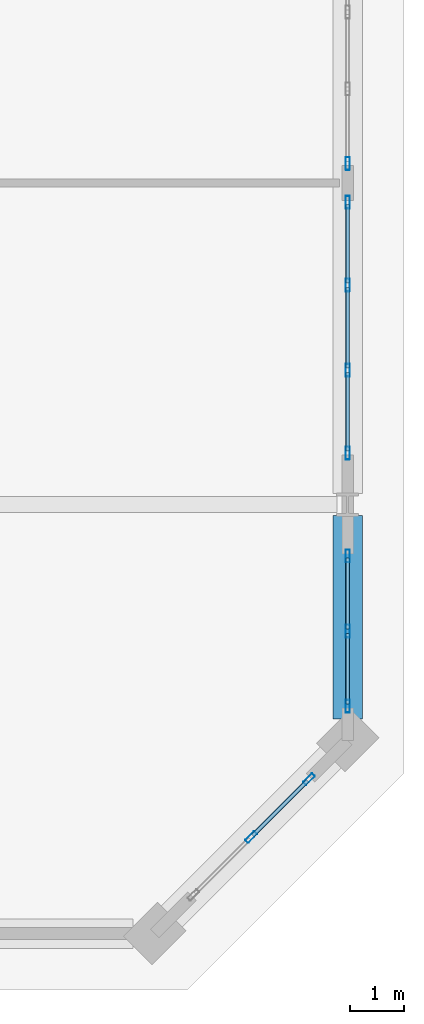
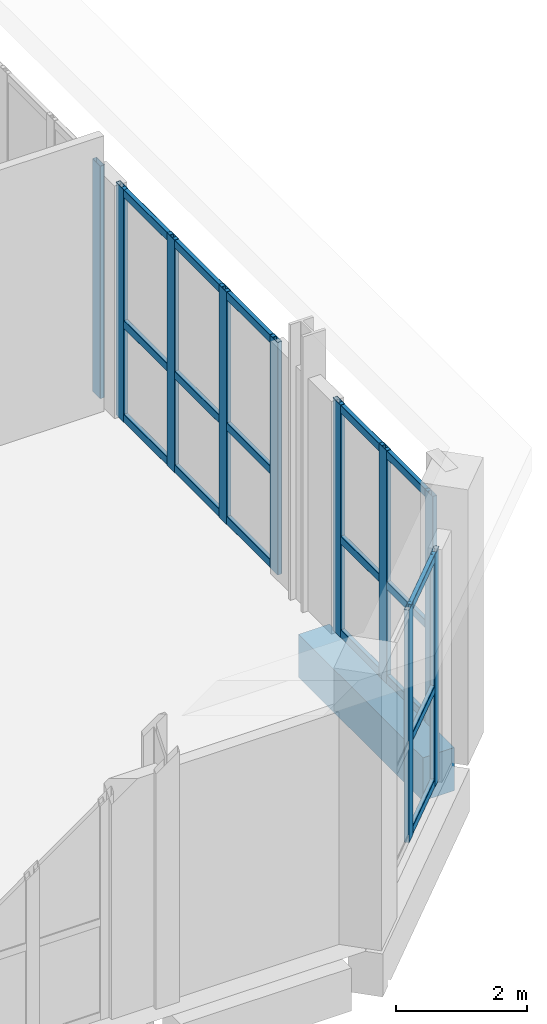
# One storey, part 14 of 26: 28 members, 1 beam, 4 elements without a shape of their own.
"""IFC4 building model written with IfcOpenShell, lengths in metres."""

from ifc_helpers import new_model, si_unit, direction, frame, origin, origin_2d, place, context, subcontext, project, spatial, rectangle, hollow_rectangle, extrude, material, layer, layer_set, material_profile, profile_set, type_object, element, aggregate, save


model = new_model("IFC4")

# Units and contexts
model_context = context("Model", 3, precision=1e-05, world=origin(), true_north=direction((0.0, 1.0)))
body_context = subcontext(model_context, "Body", "Model", "MODEL_VIEW")
ifc_project = project(units=[si_unit("LENGTHUNIT", "METRE"), si_unit("AREAUNIT", "SQUARE_METRE"), si_unit("VOLUMEUNIT", "CUBIC_METRE"), si_unit("PLANEANGLEUNIT", "RADIAN"), si_unit("MASSUNIT", "GRAM", prefix="KILO")], contexts=[model_context])

# Site, building, storey
site_placement = place(None, origin())
site = spatial("IfcSite", under=ifc_project, at=site_placement, CompositionType="ELEMENT")
building_placement = place(site_placement, origin())
building = spatial("IfcBuilding", under=site, at=building_placement, Name="Kaelvorn Grand Hotel", CompositionType="ELEMENT")
storey_placement = place(building_placement, frame((0.0, 0.0, 300.199951171875)))
storey = spatial("IfcBuildingStorey", under=building, at=storey_placement, Name="L73", CompositionType="ELEMENT", Elevation=300.199951171875)

# Beam
ifc_material_1 = material(Name="Concrete C50/60", Category="concrete")
ifc_material_profile_1 = material_profile(ifc_material_1, rectangle(XDim=0.550048828125, YDim=0.800048828125, at=origin_2d()), Name="RC SPANDREL 550x800")
ifc_profile_set_1 = profile_set([ifc_material_profile_1], Name="Concrete C50/60")
beam_type = type_object("IfcBeamType", Name="BM-SP-550x800-C50", PredefinedType="SPANDREL", material=ifc_profile_set_1)
beam_placement = place(storey_placement, frame((75.0, 11.0048828125, -0.780029296875), z_axis=(0.0, 1.0, 0.0), x_axis=(-1.0, 0.0, 0.0)))
element("IfcBeam", 1, at=beam_placement, inside=storey, type_object=beam_type, Name="L73 East Perimeter Spandrel 01", PredefinedType="SPANDREL", context=body_context, shape_type="SweptSolid", body=[
    extrude(rectangle(XDim=0.550048828125, YDim=0.800048828125, at=origin_2d()), origin(), (0.0, 0.0, 1.0), 3.7900390625),
])

# Curtain wall, members
ifc_material_2 = material(Name="Anodised Aluminium", Category="aluminium")
ifc_layer = layer(ifc_material_2, 0.239990234375)
ifc_layer_set = layer_set([ifc_layer], Name="Anodised Aluminium")
curtain_wall_type = type_object("IfcCurtainWallType", Name="CW-SYS5", PredefinedType="NOTDEFINED", material=ifc_layer_set)
curtain_wall_1_placement = place(storey_placement, origin())
curtain_wall_1 = element("IfcCurtainWall", 2, at=curtain_wall_1_placement, inside=storey, type_object=curtain_wall_type, Name="L73 Unitised Curtain Wall CW5 (CW-L73-SE)", PredefinedType="NOTDEFINED")
ifc_material_profile_2 = material_profile(ifc_material_2, hollow_rectangle(XDim=0.080078125, YDim=0.239990234375, WallThickness=0.0048828125, InnerFilletRadius=0.0048828125, OuterFilletRadius=0.010009765625, at=origin_2d()), Name="ALU MULL 80x240")
ifc_profile_set_2 = profile_set([ifc_material_profile_2], Name="Anodised Aluminium")
member_type_1 = type_object("IfcMemberType", Name="CW-SYS5-MULL", PredefinedType="MULLION", material=ifc_profile_set_2)
member_1_placement = place(storey_placement, frame((73.199951171875, 8.800048828125, 0.0), z_axis=(0.0, 0.0, 1.0), x_axis=(-0.707106781187, 0.707106781187, 0.0)))
member_1 = element("IfcMember", 3, at=member_1_placement, type_object=member_type_1, Name="CW5 mullion 2", PredefinedType="MULLION", context=body_context, shape_type="SweptSolid", body=[
    extrude(hollow_rectangle(XDim=0.080078125, YDim=0.239990234375, WallThickness=0.0048828125, InnerFilletRadius=0.0048828125, OuterFilletRadius=0.010009765625, at=origin_2d()), origin(), (0.0, 0.0, 1.0), 4.320068359375),
])
member_2_placement = place(storey_placement, frame((74.27880859375, 9.878662109375, 0.0), z_axis=(0.0, 0.0, 1.0), x_axis=(-0.707106781187, 0.707106781187, 0.0)))
member_2 = element("IfcMember", 4, at=member_2_placement, type_object=member_type_1, Name="CW5 mullion 3", PredefinedType="MULLION", context=body_context, shape_type="SweptSolid", body=[
    extrude(hollow_rectangle(XDim=0.080078125, YDim=0.239990234375, WallThickness=0.0048828125, InnerFilletRadius=0.0048828125, OuterFilletRadius=0.010009765625, at=origin_2d()), origin(), (0.0, 0.0, 1.0), 4.320068359375),
])

curtain_wall_2_placement = place(storey_placement, origin())
curtain_wall_2 = element("IfcCurtainWall", 5, at=curtain_wall_2_placement, inside=storey, type_object=curtain_wall_type, Name="L73 Unitised Curtain Wall CW5 (CW-L73-E-01)", PredefinedType="NOTDEFINED")
member_3_placement = place(storey_placement, frame((75.0, 11.239990234375, 0.0), z_axis=(0.0, 0.0, 1.0), x_axis=(-1.0, 0.0, 0.0)))
member_3 = element("IfcMember", 6, at=member_3_placement, type_object=member_type_1, Name="CW5 mullion 1", PredefinedType="MULLION", context=body_context, shape_type="SweptSolid", body=[
    extrude(hollow_rectangle(XDim=0.080078125, YDim=0.239990234375, WallThickness=0.0048828125, InnerFilletRadius=0.0048828125, OuterFilletRadius=0.010009765625, at=origin_2d()), origin(), (0.0, 0.0, 1.0), 4.320068359375),
])
member_4_placement = place(storey_placement, frame((75.0, 12.639892578125, 0.0), z_axis=(0.0, 0.0, 1.0), x_axis=(-1.0, 0.0, 0.0)))
member_4 = element("IfcMember", 7, at=member_4_placement, type_object=member_type_1, Name="CW5 mullion 2", PredefinedType="MULLION", context=body_context, shape_type="SweptSolid", body=[
    extrude(hollow_rectangle(XDim=0.080078125, YDim=0.239990234375, WallThickness=0.0048828125, InnerFilletRadius=0.0048828125, OuterFilletRadius=0.010009765625, at=origin_2d()), origin(), (0.0, 0.0, 1.0), 4.320068359375),
])
member_5_placement = place(storey_placement, frame((75.0, 14.0400390625, 0.0), z_axis=(0.0, 0.0, 1.0), x_axis=(-1.0, 0.0, 0.0)))
member_5 = element("IfcMember", 8, at=member_5_placement, type_object=member_type_1, Name="CW5 mullion 3", PredefinedType="MULLION", context=body_context, shape_type="SweptSolid", body=[
    extrude(hollow_rectangle(XDim=0.080078125, YDim=0.239990234375, WallThickness=0.0048828125, InnerFilletRadius=0.0048828125, OuterFilletRadius=0.010009765625, at=origin_2d()), origin(), (0.0, 0.0, 1.0), 4.320068359375),
])

curtain_wall_3_placement = place(storey_placement, origin())
curtain_wall_3 = element("IfcCurtainWall", 9, at=curtain_wall_3_placement, inside=storey, type_object=curtain_wall_type, Name="L73 Unitised Curtain Wall CW5 (CW-L73-E-02)", PredefinedType="NOTDEFINED")
member_6_placement = place(storey_placement, frame((75.0, 15.9599609375, 0.0), z_axis=(0.0, 0.0, 1.0), x_axis=(-1.0, 0.0, 0.0)))
member_6 = element("IfcMember", 10, at=member_6_placement, type_object=member_type_1, Name="CW5 mullion 1", PredefinedType="MULLION", context=body_context, shape_type="SweptSolid", body=[
    extrude(hollow_rectangle(XDim=0.080078125, YDim=0.239990234375, WallThickness=0.0048828125, InnerFilletRadius=0.0048828125, OuterFilletRadius=0.010009765625, at=origin_2d()), origin(), (0.0, 0.0, 1.0), 4.320068359375),
])
member_7_placement = place(storey_placement, frame((75.0, 17.506591796875, 0.0), z_axis=(0.0, 0.0, 1.0), x_axis=(-1.0, 0.0, 0.0)))
member_7 = element("IfcMember", 11, at=member_7_placement, type_object=member_type_1, Name="CW5 mullion 2", PredefinedType="MULLION", context=body_context, shape_type="SweptSolid", body=[
    extrude(hollow_rectangle(XDim=0.080078125, YDim=0.239990234375, WallThickness=0.0048828125, InnerFilletRadius=0.0048828125, OuterFilletRadius=0.010009765625, at=origin_2d()), origin(), (0.0, 0.0, 1.0), 4.320068359375),
])
member_8_placement = place(storey_placement, frame((75.0, 19.09326171875, 0.0), z_axis=(0.0, 0.0, 1.0), x_axis=(-1.0, 0.0, 0.0)))
member_8 = element("IfcMember", 12, at=member_8_placement, type_object=member_type_1, Name="CW5 mullion 3", PredefinedType="MULLION", context=body_context, shape_type="SweptSolid", body=[
    extrude(hollow_rectangle(XDim=0.080078125, YDim=0.239990234375, WallThickness=0.0048828125, InnerFilletRadius=0.0048828125, OuterFilletRadius=0.010009765625, at=origin_2d()), origin(), (0.0, 0.0, 1.0), 4.320068359375),
])
member_9_placement = place(storey_placement, frame((75.0, 20.639892578125, 0.0), z_axis=(0.0, 0.0, 1.0), x_axis=(-1.0, 0.0, 0.0)))
member_9 = element("IfcMember", 13, at=member_9_placement, type_object=member_type_1, Name="CW5 mullion 4", PredefinedType="MULLION", context=body_context, shape_type="SweptSolid", body=[
    extrude(hollow_rectangle(XDim=0.080078125, YDim=0.239990234375, WallThickness=0.0048828125, InnerFilletRadius=0.0048828125, OuterFilletRadius=0.010009765625, at=origin_2d()), origin(), (0.0, 0.0, 1.0), 4.320068359375),
])

# Curtain wall, member
curtain_wall_4_placement = place(storey_placement, origin())
curtain_wall_4 = element("IfcCurtainWall", 14, at=curtain_wall_4_placement, inside=storey, type_object=curtain_wall_type, Name="L73 Unitised Curtain Wall CW5 (CW-L73-E-03)", PredefinedType="NOTDEFINED")
member_10_placement = place(storey_placement, frame((75.0, 21.360107421875, 0.0), z_axis=(0.0, 0.0, 1.0), x_axis=(-1.0, 0.0, 0.0)))
member_10 = element("IfcMember", 15, at=member_10_placement, type_object=member_type_1, Name="CW5 mullion 1", PredefinedType="MULLION", context=body_context, shape_type="SweptSolid", body=[
    extrude(hollow_rectangle(XDim=0.080078125, YDim=0.239990234375, WallThickness=0.0048828125, InnerFilletRadius=0.0048828125, OuterFilletRadius=0.010009765625, at=origin_2d()), origin(), (0.0, 0.0, 1.0), 4.320068359375),
])
aggregate(curtain_wall_4, [member_10])

# Member
ifc_material_profile_3 = material_profile(ifc_material_2, hollow_rectangle(XDim=0.074951171875, YDim=0.14990234375, WallThickness=0.00390625, InnerFilletRadius=0.00390625, OuterFilletRadius=0.008056640625, at=origin_2d()), Name="ALU TRAN 75x150")
ifc_profile_set_3 = profile_set([ifc_material_profile_3], Name="Anodised Aluminium")
member_type_2 = type_object("IfcMemberType", Name="CW-SYS5-TRAN", PredefinedType="NOTDEFINED", material=ifc_profile_set_3)
member_11_placement = place(storey_placement, frame((73.228271484375, 8.828369140625, 0.074951171875), z_axis=(0.707106781187, 0.707106781187, 0.0), x_axis=(-0.707106781187, 0.707106781187, 0.0)))
member_11 = element("IfcMember", 16, at=member_11_placement, type_object=member_type_2, Name="CW5 transom 2.1", ObjectType="TRANSOM", PredefinedType="USERDEFINED", context=body_context, shape_type="SweptSolid", body=[
    extrude(hollow_rectangle(XDim=0.074951171875, YDim=0.14990234375, WallThickness=0.00390625, InnerFilletRadius=0.00390625, OuterFilletRadius=0.008056640625, at=origin_2d()), origin(), (0.0, 0.0, 1.0), 1.445556640625),
])

member_12_placement = place(storey_placement, frame((73.228271484375, 8.828369140625, 1.814453125), z_axis=(0.707106781187, 0.707106781187, 0.0), x_axis=(-0.707106781187, 0.707106781187, 0.0)))
member_12 = element("IfcMember", 17, at=member_12_placement, type_object=member_type_2, Name="CW5 transom 2.2", ObjectType="TRANSOM", PredefinedType="USERDEFINED", context=body_context, shape_type="SweptSolid", body=[
    extrude(hollow_rectangle(XDim=0.074951171875, YDim=0.14990234375, WallThickness=0.00390625, InnerFilletRadius=0.00390625, OuterFilletRadius=0.008056640625, at=origin_2d()), origin(), (0.0, 0.0, 1.0), 1.445556640625),
])

member_13_placement = place(storey_placement, frame((73.228271484375, 8.828369140625, 4.2451171875), z_axis=(0.707106781187, 0.707106781187, 0.0), x_axis=(-0.707106781187, 0.707106781187, 0.0)))
member_13 = element("IfcMember", 18, at=member_13_placement, type_object=member_type_2, Name="CW5 transom 2.3", ObjectType="TRANSOM", PredefinedType="USERDEFINED", context=body_context, shape_type="SweptSolid", body=[
    extrude(hollow_rectangle(XDim=0.074951171875, YDim=0.14990234375, WallThickness=0.00390625, InnerFilletRadius=0.00390625, OuterFilletRadius=0.008056640625, at=origin_2d()), origin(), (0.0, 0.0, 1.0), 1.445556640625),
])

aggregate(curtain_wall_1, [member_1, member_2, member_11, member_12, member_13])

member_14_placement = place(storey_placement, frame((75.0, 11.280029296875, 0.074951171875), z_axis=(0.0, 1.0, 0.0), x_axis=(-1.0, 0.0, 0.0)))
member_14 = element("IfcMember", 19, at=member_14_placement, type_object=member_type_2, Name="CW5 transom 1.1", ObjectType="TRANSOM", PredefinedType="USERDEFINED", context=body_context, shape_type="SweptSolid", body=[
    extrude(hollow_rectangle(XDim=0.074951171875, YDim=0.14990234375, WallThickness=0.00390625, InnerFilletRadius=0.00390625, OuterFilletRadius=0.008056640625, at=origin_2d()), origin(), (0.0, 0.0, 1.0), 1.320068359375),
])

member_15_placement = place(storey_placement, frame((75.0, 11.280029296875, 1.814453125), z_axis=(0.0, 1.0, 0.0), x_axis=(-1.0, 0.0, 0.0)))
member_15 = element("IfcMember", 20, at=member_15_placement, type_object=member_type_2, Name="CW5 transom 1.2", ObjectType="TRANSOM", PredefinedType="USERDEFINED", context=body_context, shape_type="SweptSolid", body=[
    extrude(hollow_rectangle(XDim=0.074951171875, YDim=0.14990234375, WallThickness=0.00390625, InnerFilletRadius=0.00390625, OuterFilletRadius=0.008056640625, at=origin_2d()), origin(), (0.0, 0.0, 1.0), 1.320068359375),
])

member_16_placement = place(storey_placement, frame((75.0, 11.280029296875, 4.2451171875), z_axis=(0.0, 1.0, 0.0), x_axis=(-1.0, 0.0, 0.0)))
member_16 = element("IfcMember", 21, at=member_16_placement, type_object=member_type_2, Name="CW5 transom 1.3", ObjectType="TRANSOM", PredefinedType="USERDEFINED", context=body_context, shape_type="SweptSolid", body=[
    extrude(hollow_rectangle(XDim=0.074951171875, YDim=0.14990234375, WallThickness=0.00390625, InnerFilletRadius=0.00390625, OuterFilletRadius=0.008056640625, at=origin_2d()), origin(), (0.0, 0.0, 1.0), 1.320068359375),
])

member_17_placement = place(storey_placement, frame((75.0, 12.679931640625, 0.074951171875), z_axis=(0.0, 1.0, 0.0), x_axis=(-1.0, 0.0, 0.0)))
member_17 = element("IfcMember", 22, at=member_17_placement, type_object=member_type_2, Name="CW5 transom 2.1", ObjectType="TRANSOM", PredefinedType="USERDEFINED", context=body_context, shape_type="SweptSolid", body=[
    extrude(hollow_rectangle(XDim=0.074951171875, YDim=0.14990234375, WallThickness=0.00390625, InnerFilletRadius=0.00390625, OuterFilletRadius=0.008056640625, at=origin_2d()), origin(), (0.0, 0.0, 1.0), 1.320068359375),
])

member_18_placement = place(storey_placement, frame((75.0, 12.679931640625, 1.814453125), z_axis=(0.0, 1.0, 0.0), x_axis=(-1.0, 0.0, 0.0)))
member_18 = element("IfcMember", 23, at=member_18_placement, type_object=member_type_2, Name="CW5 transom 2.2", ObjectType="TRANSOM", PredefinedType="USERDEFINED", context=body_context, shape_type="SweptSolid", body=[
    extrude(hollow_rectangle(XDim=0.074951171875, YDim=0.14990234375, WallThickness=0.00390625, InnerFilletRadius=0.00390625, OuterFilletRadius=0.008056640625, at=origin_2d()), origin(), (0.0, 0.0, 1.0), 1.320068359375),
])

member_19_placement = place(storey_placement, frame((75.0, 12.679931640625, 4.2451171875), z_axis=(0.0, 1.0, 0.0), x_axis=(-1.0, 0.0, 0.0)))
member_19 = element("IfcMember", 24, at=member_19_placement, type_object=member_type_2, Name="CW5 transom 2.3", ObjectType="TRANSOM", PredefinedType="USERDEFINED", context=body_context, shape_type="SweptSolid", body=[
    extrude(hollow_rectangle(XDim=0.074951171875, YDim=0.14990234375, WallThickness=0.00390625, InnerFilletRadius=0.00390625, OuterFilletRadius=0.008056640625, at=origin_2d()), origin(), (0.0, 0.0, 1.0), 1.320068359375),
])

aggregate(curtain_wall_2, [member_3, member_4, member_5, member_14, member_15, member_16, member_17, member_18, member_19])

member_20_placement = place(storey_placement, frame((75.0, 16.0, 0.074951171875), z_axis=(0.0, 1.0, 0.0), x_axis=(-1.0, 0.0, 0.0)))
member_20 = element("IfcMember", 25, at=member_20_placement, type_object=member_type_2, Name="CW5 transom 1.1", ObjectType="TRANSOM", PredefinedType="USERDEFINED", context=body_context, shape_type="SweptSolid", body=[
    extrude(hollow_rectangle(XDim=0.074951171875, YDim=0.14990234375, WallThickness=0.00390625, InnerFilletRadius=0.00390625, OuterFilletRadius=0.008056640625, at=origin_2d()), origin(), (0.0, 0.0, 1.0), 1.466552734375),
])

member_21_placement = place(storey_placement, frame((75.0, 16.0, 1.814453125), z_axis=(0.0, 1.0, 0.0), x_axis=(-1.0, 0.0, 0.0)))
member_21 = element("IfcMember", 26, at=member_21_placement, type_object=member_type_2, Name="CW5 transom 1.2", ObjectType="TRANSOM", PredefinedType="USERDEFINED", context=body_context, shape_type="SweptSolid", body=[
    extrude(hollow_rectangle(XDim=0.074951171875, YDim=0.14990234375, WallThickness=0.00390625, InnerFilletRadius=0.00390625, OuterFilletRadius=0.008056640625, at=origin_2d()), origin(), (0.0, 0.0, 1.0), 1.466552734375),
])

member_22_placement = place(storey_placement, frame((75.0, 16.0, 4.2451171875), z_axis=(0.0, 1.0, 0.0), x_axis=(-1.0, 0.0, 0.0)))
member_22 = element("IfcMember", 27, at=member_22_placement, type_object=member_type_2, Name="CW5 transom 1.3", ObjectType="TRANSOM", PredefinedType="USERDEFINED", context=body_context, shape_type="SweptSolid", body=[
    extrude(hollow_rectangle(XDim=0.074951171875, YDim=0.14990234375, WallThickness=0.00390625, InnerFilletRadius=0.00390625, OuterFilletRadius=0.008056640625, at=origin_2d()), origin(), (0.0, 0.0, 1.0), 1.466552734375),
])

member_23_placement = place(storey_placement, frame((75.0, 17.546630859375, 0.074951171875), z_axis=(0.0, 1.0, 0.0), x_axis=(-1.0, 0.0, 0.0)))
member_23 = element("IfcMember", 28, at=member_23_placement, type_object=member_type_2, Name="CW5 transom 2.1", ObjectType="TRANSOM", PredefinedType="USERDEFINED", context=body_context, shape_type="SweptSolid", body=[
    extrude(hollow_rectangle(XDim=0.074951171875, YDim=0.14990234375, WallThickness=0.00390625, InnerFilletRadius=0.00390625, OuterFilletRadius=0.008056640625, at=origin_2d()), origin(), (0.0, 0.0, 1.0), 1.506591796875),
])

member_24_placement = place(storey_placement, frame((75.0, 17.546630859375, 1.814453125), z_axis=(0.0, 1.0, 0.0), x_axis=(-1.0, 0.0, 0.0)))
member_24 = element("IfcMember", 29, at=member_24_placement, type_object=member_type_2, Name="CW5 transom 2.2", ObjectType="TRANSOM", PredefinedType="USERDEFINED", context=body_context, shape_type="SweptSolid", body=[
    extrude(hollow_rectangle(XDim=0.074951171875, YDim=0.14990234375, WallThickness=0.00390625, InnerFilletRadius=0.00390625, OuterFilletRadius=0.008056640625, at=origin_2d()), origin(), (0.0, 0.0, 1.0), 1.506591796875),
])

member_25_placement = place(storey_placement, frame((75.0, 17.546630859375, 4.2451171875), z_axis=(0.0, 1.0, 0.0), x_axis=(-1.0, 0.0, 0.0)))
member_25 = element("IfcMember", 30, at=member_25_placement, type_object=member_type_2, Name="CW5 transom 2.3", ObjectType="TRANSOM", PredefinedType="USERDEFINED", context=body_context, shape_type="SweptSolid", body=[
    extrude(hollow_rectangle(XDim=0.074951171875, YDim=0.14990234375, WallThickness=0.00390625, InnerFilletRadius=0.00390625, OuterFilletRadius=0.008056640625, at=origin_2d()), origin(), (0.0, 0.0, 1.0), 1.506591796875),
])

member_26_placement = place(storey_placement, frame((75.0, 19.13330078125, 0.074951171875), z_axis=(0.0, 1.0, 0.0), x_axis=(-1.0, 0.0, 0.0)))
member_26 = element("IfcMember", 31, at=member_26_placement, type_object=member_type_2, Name="CW5 transom 3.1", ObjectType="TRANSOM", PredefinedType="USERDEFINED", context=body_context, shape_type="SweptSolid", body=[
    extrude(hollow_rectangle(XDim=0.074951171875, YDim=0.14990234375, WallThickness=0.00390625, InnerFilletRadius=0.00390625, OuterFilletRadius=0.008056640625, at=origin_2d()), origin(), (0.0, 0.0, 1.0), 1.466796875),
])

member_27_placement = place(storey_placement, frame((75.0, 19.13330078125, 1.814453125), z_axis=(0.0, 1.0, 0.0), x_axis=(-1.0, 0.0, 0.0)))
member_27 = element("IfcMember", 32, at=member_27_placement, type_object=member_type_2, Name="CW5 transom 3.2", ObjectType="TRANSOM", PredefinedType="USERDEFINED", context=body_context, shape_type="SweptSolid", body=[
    extrude(hollow_rectangle(XDim=0.074951171875, YDim=0.14990234375, WallThickness=0.00390625, InnerFilletRadius=0.00390625, OuterFilletRadius=0.008056640625, at=origin_2d()), origin(), (0.0, 0.0, 1.0), 1.466796875),
])

member_28_placement = place(storey_placement, frame((75.0, 19.13330078125, 4.2451171875), z_axis=(0.0, 1.0, 0.0), x_axis=(-1.0, 0.0, 0.0)))
member_28 = element("IfcMember", 33, at=member_28_placement, type_object=member_type_2, Name="CW5 transom 3.3", ObjectType="TRANSOM", PredefinedType="USERDEFINED", context=body_context, shape_type="SweptSolid", body=[
    extrude(hollow_rectangle(XDim=0.074951171875, YDim=0.14990234375, WallThickness=0.00390625, InnerFilletRadius=0.00390625, OuterFilletRadius=0.008056640625, at=origin_2d()), origin(), (0.0, 0.0, 1.0), 1.466796875),
])

aggregate(curtain_wall_3, [member_6, member_7, member_8, member_9, member_20, member_21, member_22, member_23, member_24, member_25, member_26, member_27, member_28])

save(model, "model.ifc")
